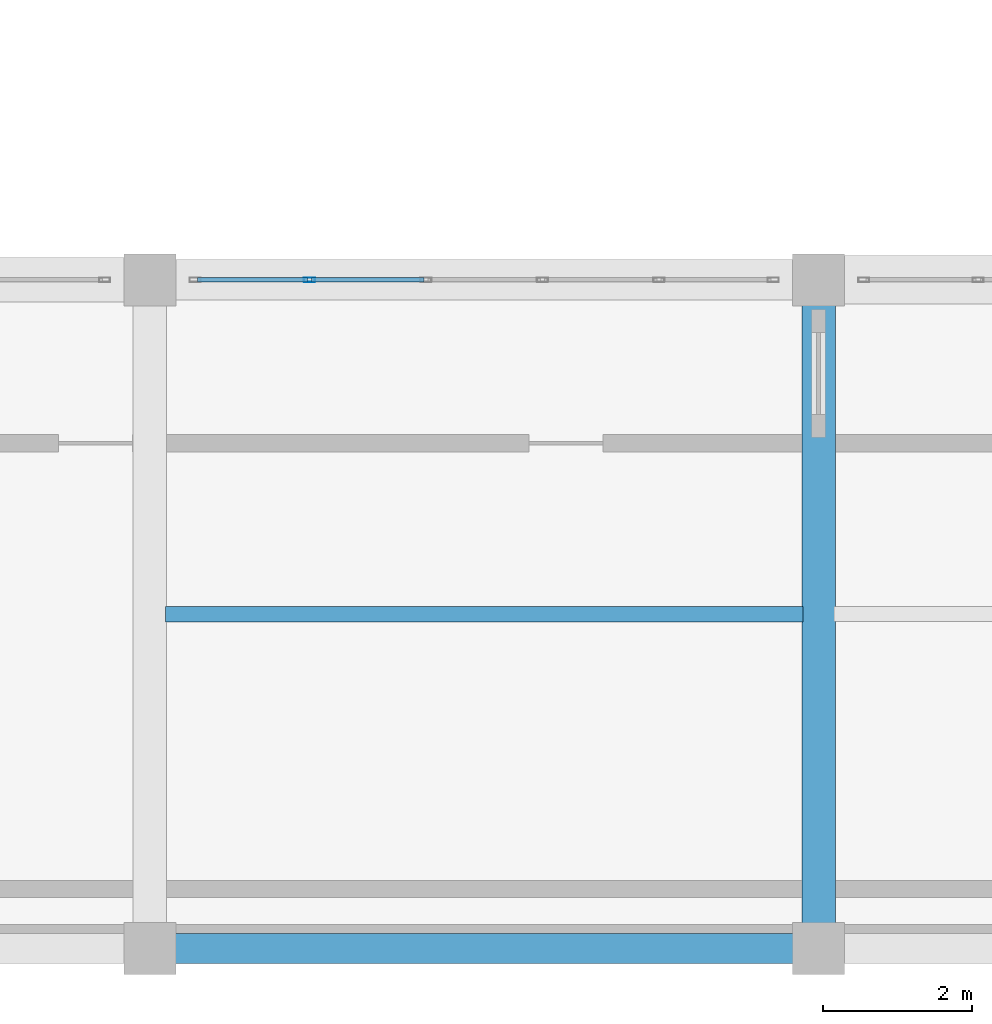
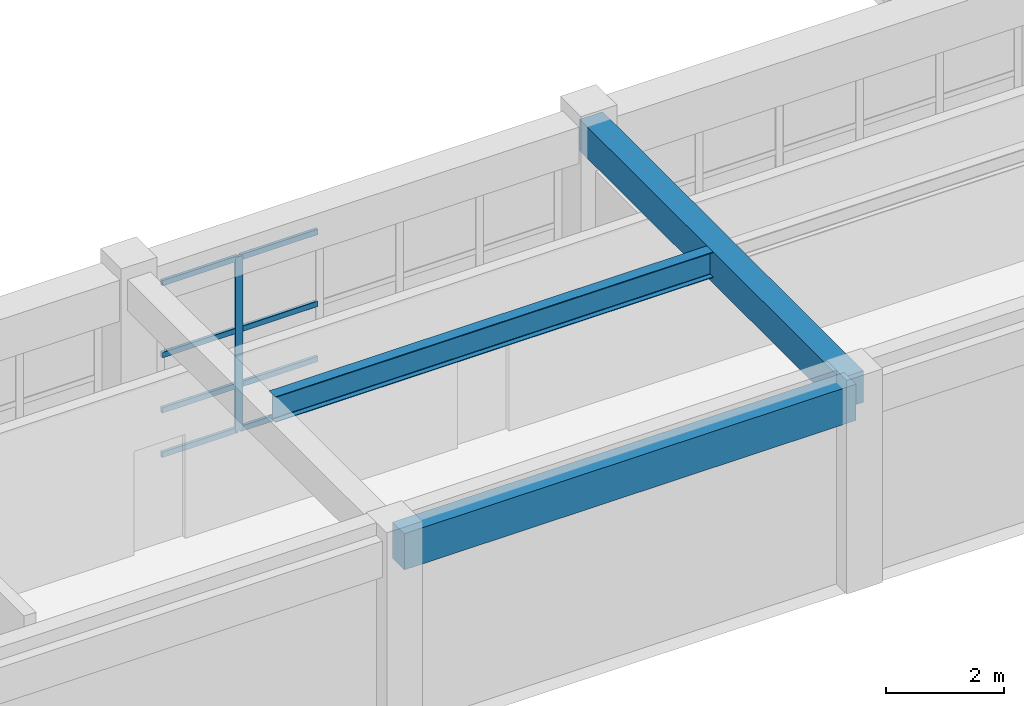
# One storey, part 29 of 133: 9 members, 3 beams, 1 element without a shape of its own.
"""IFC4 building model written with IfcOpenShell, lengths in metres."""

from ifc_helpers import new_model, si_unit, direction, frame, origin, origin_2d, place, context, subcontext, project, spatial, rectangle, hollow_rectangle, i_section, extrude, material, material_profile, profile_set, type_object, element, aggregate, save


model = new_model("IFC4")

# Units and contexts
model_context = context("Model", 3, precision=1e-05, world=origin(), true_north=direction((0.0, 1.0)))
body_context = subcontext(model_context, "Body", "Model", "MODEL_VIEW")
ifc_project = project(units=[si_unit("LENGTHUNIT", "METRE"), si_unit("AREAUNIT", "SQUARE_METRE"), si_unit("VOLUMEUNIT", "CUBIC_METRE"), si_unit("PLANEANGLEUNIT", "RADIAN"), si_unit("MASSUNIT", "GRAM", prefix="KILO")], contexts=[model_context])

# Site, building, storey
site_placement = place(None, origin())
site = spatial("IfcSite", under=ifc_project, at=site_placement, CompositionType="ELEMENT")
building_placement = place(site_placement, origin())
building = spatial("IfcBuilding", under=site, at=building_placement, Name="Miravela Opera House", CompositionType="ELEMENT")
storey_placement = place(building_placement, frame((0.0, 0.0, 5.10009765625)))
storey = spatial("IfcBuildingStorey", under=building, at=storey_placement, Name="L01", CompositionType="ELEMENT", Elevation=5.10009765625)

# Curtain wall, members
ifc_material_1 = material(Name="Anodised architectural bronze aluminium 6063-T6", Category="aluminium")
curtain_wall_type = type_object("IfcCurtainWallType", Name="ARC-CW-06", PredefinedType="NOTDEFINED", material=ifc_material_1)
curtain_wall_placement = place(storey_placement, origin())
curtain_wall = element("IfcCurtainWall", 1, at=curtain_wall_placement, inside=storey, type_object=curtain_wall_type, Name="Courtyard Arcade Curtain Wall CW-L01-129", PredefinedType="NOTDEFINED")
ifc_material_profile_1 = material_profile(ifc_material_1, hollow_rectangle(XDim=0.06005859375, YDim=0.14990234375, WallThickness=0.00390625, InnerFilletRadius=0.001953125, OuterFilletRadius=0.00390625, at=origin_2d()), Name="CWM-60X150")
ifc_profile_set_1 = profile_set([ifc_material_profile_1])
member_type_1 = type_object("IfcMemberType", Name="ARC-CWM-150", PredefinedType="MULLION", material=ifc_profile_set_1)
member_1_placement = place(storey_placement, frame((47.14794921875, 9.0, 0.0), z_axis=(0.0, 0.0, 1.0), x_axis=(0.0, 1.0, 0.0)))
member_1 = element("IfcMember", 2, at=member_1_placement, type_object=member_type_1, Name="CW-06 mullion 2", PredefinedType="MULLION", context=body_context, shape_type="SweptSolid", body=[
    extrude(hollow_rectangle(XDim=0.06005859375, YDim=0.14990234375, WallThickness=0.00390625, InnerFilletRadius=0.001953125, OuterFilletRadius=0.00390625, at=origin_2d()), origin(), (0.0, 0.0, 1.0), 3.60986328125),
])
ifc_material_profile_2 = material_profile(ifc_material_1, hollow_rectangle(XDim=0.06005859375, YDim=0.114990234375, WallThickness=0.00390625, InnerFilletRadius=0.001953125, OuterFilletRadius=0.00390625, at=origin_2d()), Name="CWT-60X115")
ifc_profile_set_2 = profile_set([ifc_material_profile_2])
member_type_2 = type_object("IfcMemberType", Name="ARC-CWT-115", PredefinedType="USERDEFINED", material=ifc_profile_set_2)
member_2_placement = place(storey_placement, frame((45.639892578125, 9.0, 0.02978515625), z_axis=(1.0, 0.0, 0.0), x_axis=(0.0, 1.0, 0.0)))
member_2 = element("IfcMember", 3, at=member_2_placement, type_object=member_type_2, Name="CW-06 transom 1.1", ObjectType="TRANSOM", PredefinedType="USERDEFINED", context=body_context, shape_type="SweptSolid", body=[
    extrude(hollow_rectangle(XDim=0.06005859375, YDim=0.114990234375, WallThickness=0.00390625, InnerFilletRadius=0.001953125, OuterFilletRadius=0.00390625, at=origin_2d()), origin(), (0.0, 0.0, 1.0), 1.47802734375),
])
member_3_placement = place(storey_placement, frame((45.639892578125, 9.0, 0.949951171875), z_axis=(1.0, 0.0, 0.0), x_axis=(0.0, 1.0, 0.0)))
member_3 = element("IfcMember", 4, at=member_3_placement, type_object=member_type_2, Name="CW-06 transom 1.2", ObjectType="TRANSOM", PredefinedType="USERDEFINED", context=body_context, shape_type="SweptSolid", body=[
    extrude(hollow_rectangle(XDim=0.06005859375, YDim=0.114990234375, WallThickness=0.00390625, InnerFilletRadius=0.001953125, OuterFilletRadius=0.00390625, at=origin_2d()), origin(), (0.0, 0.0, 1.0), 1.47802734375),
])
member_4_placement = place(storey_placement, frame((45.639892578125, 9.0, 2.09375), z_axis=(1.0, 0.0, 0.0), x_axis=(0.0, 1.0, 0.0)))
member_4 = element("IfcMember", 5, at=member_4_placement, type_object=member_type_2, Name="CW-06 transom 1.3", ObjectType="TRANSOM", PredefinedType="USERDEFINED", context=body_context, shape_type="SweptSolid", body=[
    extrude(hollow_rectangle(XDim=0.06005859375, YDim=0.114990234375, WallThickness=0.00390625, InnerFilletRadius=0.001953125, OuterFilletRadius=0.00390625, at=origin_2d()), origin(), (0.0, 0.0, 1.0), 1.47802734375),
])
member_5_placement = place(storey_placement, frame((45.639892578125, 9.0, 3.579833984375), z_axis=(1.0, 0.0, 0.0), x_axis=(0.0, 1.0, 0.0)))
member_5 = element("IfcMember", 6, at=member_5_placement, type_object=member_type_2, Name="CW-06 transom 1.4", ObjectType="TRANSOM", PredefinedType="USERDEFINED", context=body_context, shape_type="SweptSolid", body=[
    extrude(hollow_rectangle(XDim=0.06005859375, YDim=0.114990234375, WallThickness=0.00390625, InnerFilletRadius=0.001953125, OuterFilletRadius=0.00390625, at=origin_2d()), origin(), (0.0, 0.0, 1.0), 1.47802734375),
])
member_6_placement = place(storey_placement, frame((47.177978515625, 9.0, 0.02978515625), z_axis=(1.0, 0.0, 0.0), x_axis=(0.0, 1.0, 0.0)))
member_6 = element("IfcMember", 7, at=member_6_placement, type_object=member_type_2, Name="CW-06 transom 2.1", ObjectType="TRANSOM", PredefinedType="USERDEFINED", context=body_context, shape_type="SweptSolid", body=[
    extrude(hollow_rectangle(XDim=0.06005859375, YDim=0.114990234375, WallThickness=0.00390625, InnerFilletRadius=0.001953125, OuterFilletRadius=0.00390625, at=origin_2d()), origin(), (0.0, 0.0, 1.0), 1.508056640625),
])
member_7_placement = place(storey_placement, frame((47.177978515625, 9.0, 0.949951171875), z_axis=(1.0, 0.0, 0.0), x_axis=(0.0, 1.0, 0.0)))
member_7 = element("IfcMember", 8, at=member_7_placement, type_object=member_type_2, Name="CW-06 transom 2.2", ObjectType="TRANSOM", PredefinedType="USERDEFINED", context=body_context, shape_type="SweptSolid", body=[
    extrude(hollow_rectangle(XDim=0.06005859375, YDim=0.114990234375, WallThickness=0.00390625, InnerFilletRadius=0.001953125, OuterFilletRadius=0.00390625, at=origin_2d()), origin(), (0.0, 0.0, 1.0), 1.508056640625),
])
member_8_placement = place(storey_placement, frame((47.177978515625, 9.0, 2.09375), z_axis=(1.0, 0.0, 0.0), x_axis=(0.0, 1.0, 0.0)))
member_8 = element("IfcMember", 9, at=member_8_placement, type_object=member_type_2, Name="CW-06 transom 2.3", ObjectType="TRANSOM", PredefinedType="USERDEFINED", context=body_context, shape_type="SweptSolid", body=[
    extrude(hollow_rectangle(XDim=0.06005859375, YDim=0.114990234375, WallThickness=0.00390625, InnerFilletRadius=0.001953125, OuterFilletRadius=0.00390625, at=origin_2d()), origin(), (0.0, 0.0, 1.0), 1.508056640625),
])
member_9_placement = place(storey_placement, frame((47.177978515625, 9.0, 3.579833984375), z_axis=(1.0, 0.0, 0.0), x_axis=(0.0, 1.0, 0.0)))
member_9 = element("IfcMember", 10, at=member_9_placement, type_object=member_type_2, Name="CW-06 transom 2.4", ObjectType="TRANSOM", PredefinedType="USERDEFINED", context=body_context, shape_type="SweptSolid", body=[
    extrude(hollow_rectangle(XDim=0.06005859375, YDim=0.114990234375, WallThickness=0.00390625, InnerFilletRadius=0.001953125, OuterFilletRadius=0.00390625, at=origin_2d()), origin(), (0.0, 0.0, 1.0), 1.508056640625),
])
aggregate(curtain_wall, [member_1, member_2, member_3, member_4, member_5, member_6, member_7, member_8, member_9])

# Beams
ifc_material_2 = material(Name="Concrete C35/45", Category="concrete")
ifc_material_profile_3 = material_profile(ifc_material_2, rectangle(XDim=0.449951171875, YDim=0.64990234375, at=origin_2d()), Name="RC-BM-450X650")
ifc_profile_set_3 = profile_set([ifc_material_profile_3])
beam_type_1 = type_object("IfcBeamType", Name="STR-BM-RC450X650", PredefinedType="BEAM", material=ifc_profile_set_3)
beam_1_placement = place(storey_placement, frame((54.0, 0.080078125, 3.8349609375), z_axis=(0.0, 1.0, 0.0), x_axis=(-1.0, 0.0, 0.0)))
element("IfcBeam", 11, at=beam_1_placement, inside=storey, type_object=beam_type_1, Name="Floor Girder L01 7/A-B", PredefinedType="BEAM", context=body_context, shape_type="SweptSolid", body=[
    extrude(rectangle(XDim=0.449951171875, YDim=0.64990234375, at=origin_2d()), origin(), (0.0, 0.0, 1.0), 8.83984375),
])
ifc_material_3 = material(Name="Structural steel ASTM A992 Gr. 50", Category="steel")
ifc_material_profile_4 = material_profile(ifc_material_3, i_section(OverallWidth=0.208984375, OverallDepth=0.532958984375, WebThickness=0.01025390625, FlangeThickness=0.015625, FilletRadius=0.014892578125, at=origin_2d()), Name="W530X92")
ifc_profile_set_4 = profile_set([ifc_material_profile_4])
beam_type_2 = type_object("IfcBeamType", Name="STR-BM-W530X92", PredefinedType="BEAM", material=ifc_profile_set_4)
beam_2_placement = place(storey_placement, frame((45.2099609375, 4.5, 3.893310546875), z_axis=(1.0, 0.0, 0.0), x_axis=(0.0, 1.0, 0.0)))
element("IfcBeam", 12, at=beam_2_placement, inside=storey, type_object=beam_type_2, Name="Secondary Floor Joist L01 6-7/A-B", PredefinedType="BEAM", context=body_context, shape_type="SweptSolid", body=[
    extrude(i_section(OverallWidth=0.208984375, OverallDepth=0.532958984375, WebThickness=0.01025390625, FlangeThickness=0.015625, FilletRadius=0.014892578125, at=origin_2d()), origin(), (0.0, 0.0, 1.0), 8.580078125),
])
ifc_material_profile_5 = material_profile(ifc_material_2, rectangle(XDim=0.39990234375, YDim=0.75, at=origin_2d()), Name="RC-SPN-400X750")
ifc_profile_set_5 = profile_set([ifc_material_profile_5])
beam_type_3 = type_object("IfcBeamType", Name="STR-SPN-RC400X750", PredefinedType="SPANDREL", material=ifc_profile_set_5)
beam_3_placement = place(storey_placement, frame((45.080078125, 0.0, 3.784912109375), z_axis=(1.0, 0.0, 0.0), x_axis=(0.0, 1.0, 0.0)))
element("IfcBeam", 13, at=beam_3_placement, inside=storey, type_object=beam_type_3, Name="Floor Girder L01 6-7/A", PredefinedType="SPANDREL", context=body_context, shape_type="SweptSolid", body=[
    extrude(rectangle(XDim=0.39990234375, YDim=0.75, at=origin_2d()), origin(), (0.0, 0.0, 1.0), 8.83984375),
])

save(model, "model.ifc")
